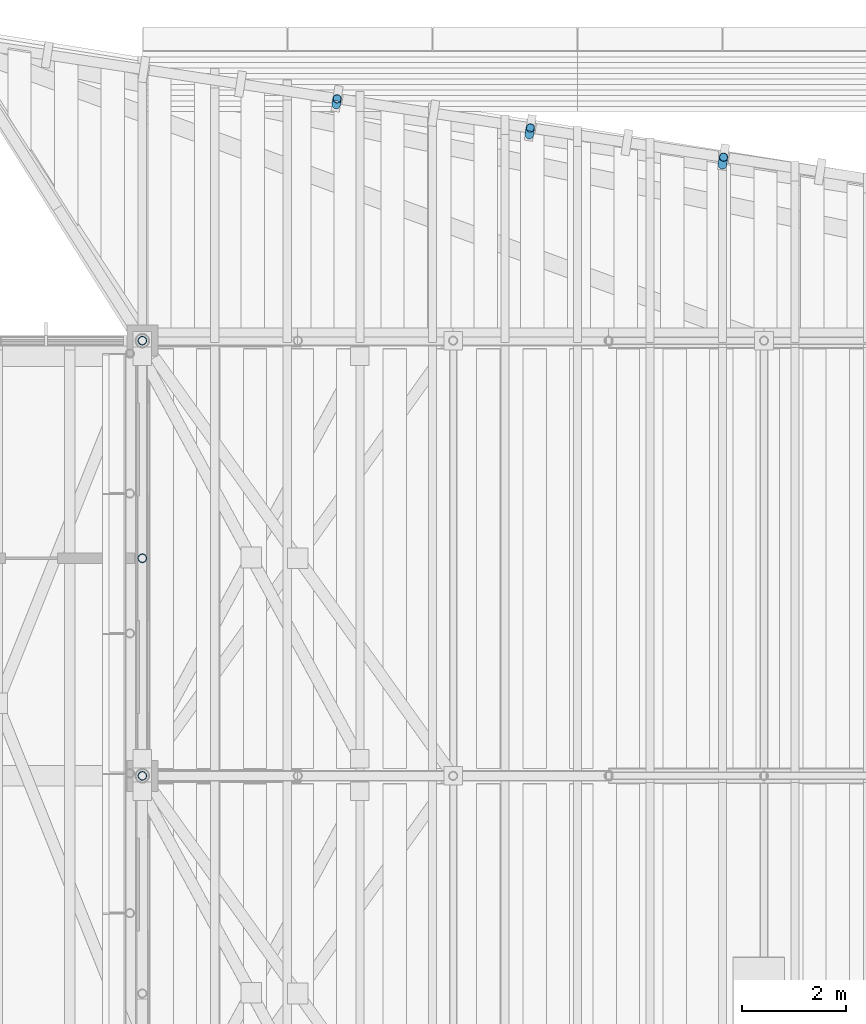
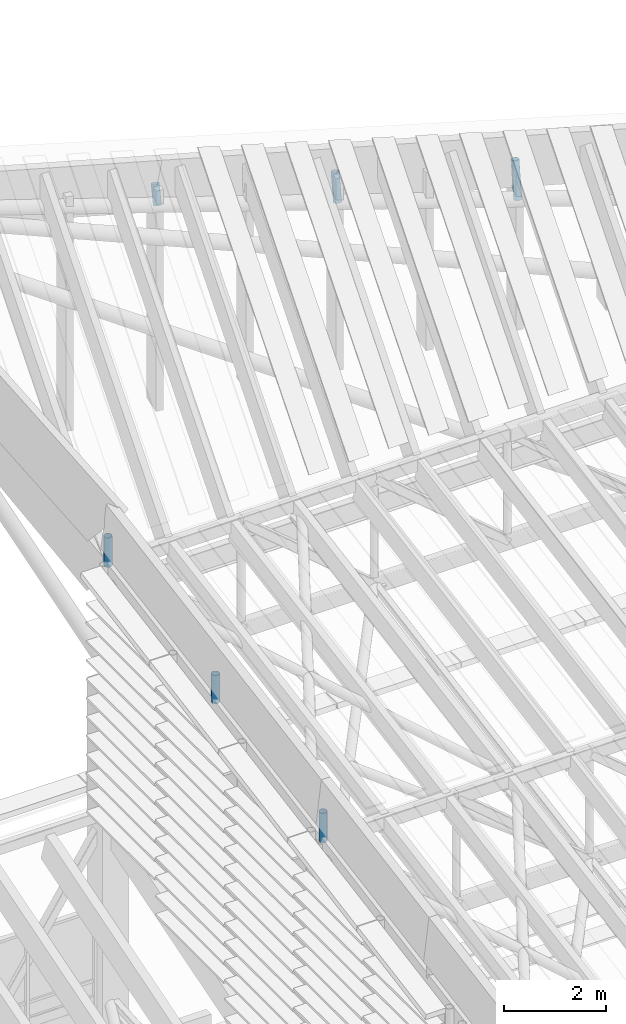
# One storey, part 54 of 91: 6 members.
"""IFC4 building model written with IfcOpenShell, lengths in metres."""

from ifc_helpers import new_model, si_unit, direction, frame, origin, origin_2d, place, context, subcontext, project, spatial, hollow_circle, extrude, material, material_profile, profile_set, type_object, element, save


model = new_model("IFC4")

# Units and contexts
model_context = context("Model", 3, precision=1e-05, world=origin(), true_north=direction((0.0, 1.0)))
body_context = subcontext(model_context, "Body", "Model", "MODEL_VIEW")
ifc_project = project(units=[si_unit("LENGTHUNIT", "METRE"), si_unit("AREAUNIT", "SQUARE_METRE"), si_unit("VOLUMEUNIT", "CUBIC_METRE"), si_unit("PLANEANGLEUNIT", "RADIAN"), si_unit("MASSUNIT", "GRAM", prefix="KILO")], contexts=[model_context])

# Site, building, storey
site_placement = place(None, origin())
site = spatial("IfcSite", under=ifc_project, at=site_placement, CompositionType="ELEMENT")
building_placement = place(site_placement, origin())
building = spatial("IfcBuilding", under=site, at=building_placement, Name="Almond Square Museum", CompositionType="ELEMENT")
storey_placement = place(building_placement, frame((0.0, 0.0, 30.0)))
storey = spatial("IfcBuildingStorey", under=building, at=storey_placement, Name="L05", CompositionType="ELEMENT", Elevation=30.0)

# Members
ifc_material = material(Name="Structural steel S355", Category="steel")
ifc_material_profile = material_profile(ifc_material, hollow_circle(Radius=0.084228515625, WallThickness=0.008056640625, at=origin_2d()))
ifc_profile_set = profile_set([ifc_material_profile], Name="Structural steel S355")
member_type = type_object("IfcMemberType", Name="Fascia post CHS 168.3x8", PredefinedType="POST", material=ifc_profile_set)
for number, where, z_axis, x_axis, name in (
    (1, (106.800048828125, 100.800048828125, 15.068603515625), (0.0, 0.0, 1.0), (1.0, 0.0, 0.0), "Rake fascia post W 7"),
    (2, (106.800048828125, 109.199951171875, 16.53857421875), (0.0, 0.0, 1.0), (1.0, 0.0, 0.0), "Rake fascia post W 8"),
):
    element("IfcMember", number, at=place(storey_placement, frame(where, z_axis=z_axis, x_axis=x_axis)), inside=storey, type_object=member_type, Name=name, PredefinedType="POST", context=body_context, shape_type="SweptSolid", body=[
        extrude(hollow_circle(Radius=0.084228515625, WallThickness=0.008056640625, at=origin_2d()), origin(), (0.0, 0.0, 1.0), 0.701416015625),
    ])
member_1_placement = place(storey_placement, frame((106.800048828125, 105.0, 15.83349609375), z_axis=(0.0, 0.0, 1.0), x_axis=(1.0, 0.0, 0.0)))
element("IfcMember", 3, at=member_1_placement, inside=storey, type_object=member_type, Name="Rake fascia post W bay 7", PredefinedType="POST", context=body_context, shape_type="SweptSolid", body=[
    extrude(hollow_circle(Radius=0.084228515625, WallThickness=0.008056640625, at=origin_2d()), origin(), (0.0, 0.0, 1.0), 0.67138671875),
])
member_2_placement = place(storey_placement, frame((117.9970703125, 112.595458984375, 19.283203125), z_axis=(0.026448081065, 0.170224351535, 0.985050338385), x_axis=(-0.988144015921, 0.153529814044, 0.0)))
element("IfcMember", 4, at=member_2_placement, inside=storey, type_object=member_type, Name="Prow edge post 6", PredefinedType="POST", context=body_context, shape_type="SweptSolid", body=[
    extrude(hollow_circle(Radius=0.084228515625, WallThickness=0.008056640625, at=origin_2d()), origin(), (0.0, 0.0, 1.0), 0.86767578125),
])
member_3_placement = place(storey_placement, frame((114.26953125, 113.176025390625, 20.1708984375), z_axis=(0.031401790168, 0.201120989407, 0.979062957728), x_axis=(-0.988029534415, 0.15426483437, 0.0)))
element("IfcMember", 5, at=member_3_placement, inside=storey, type_object=member_type, Name="Prow edge post 7", PredefinedType="POST", context=body_context, shape_type="SweptSolid", body=[
    extrude(hollow_circle(Radius=0.084228515625, WallThickness=0.008056640625, at=origin_2d()), origin(), (0.0, 0.0, 1.0), 0.653076171875),
])
member_4_placement = place(storey_placement, frame((110.5419921875, 113.756591796875, 21.058837890625), z_axis=(0.041104685834, 0.261625770649, 0.964293710928), x_axis=(-0.987881719982, 0.155208592948, 0.0)))
element("IfcMember", 6, at=member_4_placement, inside=storey, type_object=member_type, Name="Prow edge post 8", PredefinedType="POST", context=body_context, shape_type="SweptSolid", body=[
    extrude(hollow_circle(Radius=0.084228515625, WallThickness=0.008056640625, at=origin_2d()), origin(), (0.0, 0.0, 1.0), 0.439453125),
])

save(model, "model.ifc")
